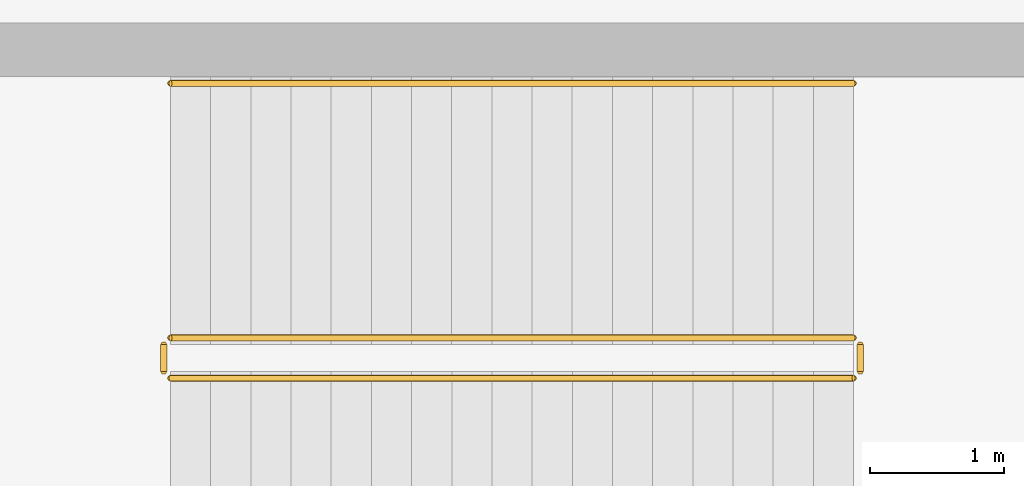
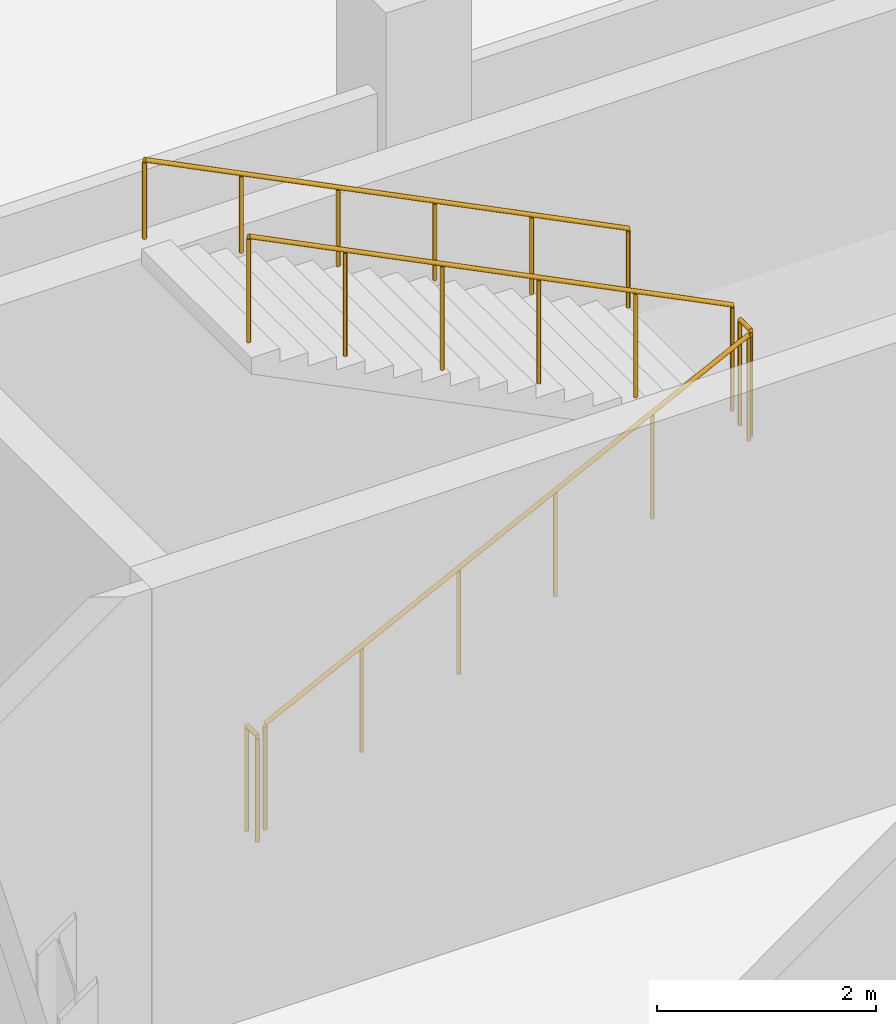
# One storey, part 46 of 49: 5 railings.
"""IFC4 building model written with IfcOpenShell, lengths in metres."""

import ifcopenshell
import ifcopenshell.guid

model = None  # the IFC model being written
_history = None  # IfcOwnerHistory: only IFC2X3 demands one
_inside = {}  # id of a spatial element -> (the spatial element, [elements in it])
_under = {}  # id of a project, library or spatial element -> (it, [spatial elements below it])
_declared = {}  # id of a project -> (the project, [libraries it declares])
_typed = {}  # id of a type object -> (the type object, [elements of that type])
_made_of = {}  # id of a material, layer set ... -> (it, [elements and type objects made of it])


def new_model(schema):
    """Start an empty IFC model of exactly this schema.

    Asked for "IFC4X3", IfcOpenShell would pick the latest addendum, in which some entities
    have other attributes; the version numbers below select the first issue.
    IFC2X3 requires an IfcOwnerHistory on every rooted entity: one is made here for all.
    """
    global model, _history
    if schema == "IFC4X3":
        model = ifcopenshell.file(schema_version=(4, 3, 0, 0))
    else:
        model = ifcopenshell.file(schema=schema)
    _inside.clear()
    _under.clear()
    _declared.clear()
    _typed.clear()
    _made_of.clear()
    _history = None
    if model.schema == "IFC2X3":
        org = make("IfcOrganization", Name="unknown")
        user = make(
            "IfcPersonAndOrganization",
            ThePerson=make("IfcPerson", FamilyName="unknown"),
            TheOrganization=org,
        )
        app = make(
            "IfcApplication",
            ApplicationDeveloper=org,
            Version="unknown",
            ApplicationFullName="unknown",
            ApplicationIdentifier="unknown",
        )
        _history = make(
            "IfcOwnerHistory",
            OwningUser=user,
            OwningApplication=app,
            ChangeAction="ADDED",
            CreationDate=0,
        )
    return model


def make(cls, **values):
    """One entity of the class cls with the attributes given. An attribute that is None is left unset."""
    return model.create_entity(
        cls, **{name: value for name, value in values.items() if value is not None}
    )


def rooted(cls, **values):
    """An entity with a GlobalId (a new one), such as an element, a storey or a relation."""
    return make(cls, GlobalId=ifcopenshell.guid.new(), OwnerHistory=_history, **values)


def si_unit(unit_type, name, prefix=None):
    """IfcSIUnit, for example si_unit("LENGTHUNIT", "METRE", prefix="MILLI")."""
    return make("IfcSIUnit", UnitType=unit_type, Prefix=prefix, Name=name)


def assignment(units):
    """IfcUnitAssignment: the units of a project."""
    return None if units is None else make("IfcUnitAssignment", Units=units)


def point(xyz):
    """IfcCartesianPoint."""
    return None if xyz is None else make("IfcCartesianPoint", Coordinates=xyz)


def direction(xyz):
    """IfcDirection."""
    return None if xyz is None else make("IfcDirection", DirectionRatios=xyz)


def frame(location, z_axis=None, x_axis=None):
    """IfcAxis2Placement3D, a coordinate frame: its origin and axes. An axis left out is left unset."""
    return make(
        "IfcAxis2Placement3D",
        Location=point(location),
        Axis=direction(z_axis),
        RefDirection=direction(x_axis),
    )


def frame_2d(location, x_axis=None):
    """IfcAxis2Placement2D, a coordinate frame in the plane: its origin and x axis."""
    return make(
        "IfcAxis2Placement2D", Location=point(location), RefDirection=direction(x_axis)
    )


def origin():
    """The frame at (0, 0, 0) with its axes left unset."""
    return frame((0.0, 0.0, 0.0))


def origin_2d():
    """The frame at (0, 0) in the plane with its x axis left unset."""
    return frame_2d((0.0, 0.0))


def place(relative_to, where):
    """IfcLocalPlacement: puts the frame where relative to a parent placement (None: the world)."""
    return make(
        "IfcLocalPlacement", PlacementRelTo=relative_to, RelativePlacement=where
    )


def context(
    kind, dimensions, precision=None, world=None, true_north=None, identifier=None
):
    """IfcGeometricRepresentationContext, for example the 3D "Model" context."""
    return make(
        "IfcGeometricRepresentationContext",
        ContextIdentifier=identifier,
        ContextType=kind,
        CoordinateSpaceDimension=dimensions,
        Precision=precision,
        WorldCoordinateSystem=world,
        TrueNorth=true_north,
    )


def subcontext(parent, identifier, kind, view, scale=None):
    """IfcGeometricRepresentationSubContext, for example "Body" below "Model"."""
    return make(
        "IfcGeometricRepresentationSubContext",
        ContextIdentifier=identifier,
        ContextType=kind,
        ParentContext=parent,
        TargetScale=scale,
        TargetView=view,
    )


def project(units=None, contexts=None):
    """IfcProject with its units and contexts."""
    return rooted(
        "IfcProject",
        Name="project",
        RepresentationContexts=contexts,
        UnitsInContext=assignment(units),
    )


def spatial(cls, under=None, at=None, **own):
    """A site, building, storey or space (cls), placed at a placement, below another one or the project."""
    s = rooted(cls, ObjectPlacement=at, **own)
    if under is not None:
        _under.setdefault(under.id(), (under, []))[1].append(s)
    return s


def profile(cls, at=None, kind="AREA", **sizes):
    """A parametric profile (cls). Its sizes go by their IFC names, for example OverallWidth=200.0."""
    return make(cls, ProfileType=kind, Position=at, **sizes)


def circle(**sizes):
    """IfcCircleProfileDef."""
    return profile("IfcCircleProfileDef", **sizes)


def extrude(swept, where, along, depth):
    """IfcExtrudedAreaSolid: the profile swept, set in the frame where, extruded along a direction by depth."""
    return make(
        "IfcExtrudedAreaSolid",
        SweptArea=swept,
        Position=where,
        ExtrudedDirection=direction(along),
        Depth=depth,
    )


def shape(context_of_items, identifier, shape_type, items):
    """IfcShapeRepresentation: the items that make up one representation, for example the "Body"."""
    return make(
        "IfcShapeRepresentation",
        ContextOfItems=context_of_items,
        RepresentationIdentifier=identifier,
        RepresentationType=shape_type,
        Items=items,
    )


def material(Name=None, Category=None):
    """IfcMaterial."""
    return make("IfcMaterial", Name=Name, Category=Category)


def made_of(thing, what):
    """Note that an element or type object is made of a material, layer set ...; save() writes the relation."""
    if what is not None:
        _made_of.setdefault(what.id(), (what, []))[1].append(thing)
    return thing


def type_object(cls, material=None, **own):
    """A type object (cls), such as IfcWallType, which elements share."""
    return made_of(rooted(cls, **own), material)


def element(
    cls,
    number,
    at=None,
    inside=None,
    cuts=None,
    type_object=None,
    material=None,
    context=None,
    identifier="Body",
    shape_type=None,
    held_by="IfcProductDefinitionShape",
    body=None,
    shapes=None,
    **own,
):
    """One element of the class cls, such as IfcWall. Its Tag is "e" and its number.

    at: its placement. inside: the storey or other place that contains it. cuts: it is an
    opening in that element (IfcRelVoidsElement). A single representation is given by context,
    identifier, shape_type and body (its items); several are given by shapes. held_by: the class
    of the entity that holds the representations. save() writes the other relations.
    """
    e = rooted(cls, Tag="e%d" % number, ObjectPlacement=at, **own)
    if body is not None:
        shapes = [shape(context, identifier, shape_type, body)]
    if shapes is not None:
        e.Representation = make(held_by, Representations=shapes)
    if inside is not None:
        _inside.setdefault(inside.id(), (inside, []))[1].append(e)
    if cuts is not None:
        rooted(
            "IfcRelVoidsElement", RelatingBuildingElement=cuts, RelatedOpeningElement=e
        )
    if type_object is not None:
        _typed.setdefault(type_object.id(), (type_object, []))[1].append(e)
    return made_of(e, material)


def aggregate(whole, parts):
    """IfcRelAggregates: a whole, such as a stair, and the parts it consists of."""
    return rooted("IfcRelAggregates", RelatingObject=whole, RelatedObjects=parts)


def save(model, path):
    """Write the relations noted so far, then the file.

    IfcRelAggregates (storeys below a building ...), IfcRelContainedInSpatialStructure (elements
    in a storey), IfcRelDefinesByType, IfcRelAssociatesMaterial and IfcRelDeclares: one each for
    every whole, place, type object, material and project.
    """
    for whole, parts in _under.values():
        aggregate(whole, parts)
    for where, things in _inside.values():
        rooted(
            "IfcRelContainedInSpatialStructure",
            RelatedElements=things,
            RelatingStructure=where,
        )
    for kind, things in _typed.values():
        rooted("IfcRelDefinesByType", RelatedObjects=things, RelatingType=kind)
    for what, things in _made_of.values():
        rooted("IfcRelAssociatesMaterial", RelatedObjects=things, RelatingMaterial=what)
    for by, libraries in _declared.values():
        rooted("IfcRelDeclares", RelatingContext=by, RelatedDefinitions=libraries)
    model.write(path)


model = new_model("IFC4")

# Units and contexts
model_context = context("Model", 3, precision=1e-05, world=origin(), true_north=direction((0.0, 1.0)))
body_context = subcontext(model_context, "Body", "Model", "MODEL_VIEW")
ifc_project = project(units=[si_unit("LENGTHUNIT", "METRE"), si_unit("AREAUNIT", "SQUARE_METRE"), si_unit("VOLUMEUNIT", "CUBIC_METRE"), si_unit("PLANEANGLEUNIT", "RADIAN"), si_unit("MASSUNIT", "GRAM", prefix="KILO"), si_unit("THERMODYNAMICTEMPERATUREUNIT", "KELVIN")], contexts=[model_context])

# Site, building, storey
site_placement = place(None, origin())
site = spatial("IfcSite", under=ifc_project, at=site_placement, CompositionType="ELEMENT")
building_placement = place(site_placement, origin())
building = spatial("IfcBuilding", under=site, at=building_placement, Name="Lustrewick Department Store", CompositionType="ELEMENT")
storey_placement = place(building_placement, frame((0.0, 0.0, -5.39990234375)))
storey = spatial("IfcBuildingStorey", under=building, at=storey_placement, Name="B1", CompositionType="ELEMENT", Elevation=-5.39990234375)

# Railings
ifc_material_1 = material(Name="Painted tubular steel stairwell guardrail", Category="steel")
railing_type_1 = type_object("IfcRailingType", Name="RL-STG", PredefinedType="GUARDRAIL", material=ifc_material_1)
railing_1_placement = place(storey_placement, frame((79.85009765625, 96.14990234375, 0.14990234375)))
element("IfcRailing", 1, at=railing_1_placement, inside=storey, type_object=railing_type_1, Name="B1 ST06 Stair Guard 1", PredefinedType="GUARDRAIL", context=body_context, shape_type="SweptSolid", body=[
    extrude(circle(Radius=0.02392578125, at=origin_2d()), frame((0.0, 0.0, 1.17578125), z_axis=(0.894418627299, 0.0, 0.447230722492), x_axis=(0.0, 1.0, 0.0)), (0.0, 0.0, 1.0), 5.701904296875),
    extrude(circle(Radius=0.02099609375, at=origin_2d()), origin(), (0.0, 0.0, 1.0), 1.15185546875),
    extrude(circle(Radius=0.02099609375, at=origin_2d()), frame((1.02001953125, 0.0, 0.510009765625)), (0.0, 0.0, 1.0), 1.15185546875),
    extrude(circle(Radius=0.02099609375, at=origin_2d()), frame((2.0400390625, 0.0, 1.02001953125)), (0.0, 0.0, 1.0), 1.15185546875),
    extrude(circle(Radius=0.02099609375, at=origin_2d()), frame((3.059814453125, 0.0, 1.530029296875)), (0.0, 0.0, 1.0), 1.15185546875),
    extrude(circle(Radius=0.02099609375, at=origin_2d()), frame((4.079833984375, 0.0, 2.0400390625)), (0.0, 0.0, 1.0), 1.15185546875),
    extrude(circle(Radius=0.02099609375, at=origin_2d()), frame((5.099853515625, 0.0, 2.550048828125)), (0.0, 0.0, 1.0), 1.15185546875),
])
railing_2_placement = place(storey_placement, frame((85.0, 96.199951171875, 2.699951171875)))
element("IfcRailing", 2, at=railing_2_placement, inside=storey, type_object=railing_type_1, Name="B1 ST06 Stair Guard 2", PredefinedType="GUARDRAIL", context=body_context, shape_type="SweptSolid", body=[
    extrude(circle(Radius=0.02392578125, at=origin_2d()), frame((0.0, 0.0, 1.17578125), z_axis=(0.0, 1.0, 0.0), x_axis=(-1.0, 0.0, 0.0)), (0.0, 0.0, 1.0), 0.199951171875),
    extrude(circle(Radius=0.02099609375, at=origin_2d()), origin(), (0.0, 0.0, 1.0), 1.15185546875),
    extrude(circle(Radius=0.02099609375, at=origin_2d()), frame((0.0, 0.199951171875, 0.0)), (0.0, 0.0, 1.0), 1.15185546875),
])
railing_3_placement = place(storey_placement, frame((84.949951171875, 96.449951171875, 2.849853515625)))
element("IfcRailing", 3, at=railing_3_placement, inside=storey, type_object=railing_type_1, Name="B1 ST06 Stair Guard 3", PredefinedType="GUARDRAIL", context=body_context, shape_type="SweptSolid", body=[
    extrude(circle(Radius=0.02392578125, at=origin_2d()), frame((0.0, 0.0, 1.17578125), z_axis=(-0.894418627299, 0.0, 0.447230722492), x_axis=(0.0, -1.0, 0.0)), (0.0, 0.0, 1.0), 5.701904296875),
    extrude(circle(Radius=0.02099609375, at=origin_2d()), origin(), (0.0, 0.0, 1.0), 1.15185546875),
    extrude(circle(Radius=0.02099609375, at=origin_2d()), frame((-1.02001953125, 0.0, 0.510009765625)), (0.0, 0.0, 1.0), 1.15185546875),
    extrude(circle(Radius=0.02099609375, at=origin_2d()), frame((-2.0400390625, 0.0, 1.02001953125)), (0.0, 0.0, 1.0), 1.15185546875),
    extrude(circle(Radius=0.02099609375, at=origin_2d()), frame((-3.059814453125, 0.0, 1.530029296875)), (0.0, 0.0, 1.0), 1.15185546875),
    extrude(circle(Radius=0.02099609375, at=origin_2d()), frame((-4.079833984375, 0.0, 2.0400390625)), (0.0, 0.0, 1.0), 1.15185546875),
    extrude(circle(Radius=0.02099609375, at=origin_2d()), frame((-5.099853515625, 0.0, 2.550048828125)), (0.0, 0.0, 1.0), 1.15185546875),
])
railing_4_placement = place(storey_placement, frame((79.800048828125, 96.199951171875, 0.0)))
element("IfcRailing", 4, at=railing_4_placement, inside=storey, type_object=railing_type_1, Name="B1 ST06 Stair Guard 4", PredefinedType="GUARDRAIL", context=body_context, shape_type="SweptSolid", body=[
    extrude(circle(Radius=0.02392578125, at=origin_2d()), frame((0.0, 0.0, 1.17578125), z_axis=(0.0, 1.0, 0.0), x_axis=(-1.0, 0.0, 0.0)), (0.0, 0.0, 1.0), 0.199951171875),
    extrude(circle(Radius=0.02099609375, at=origin_2d()), origin(), (0.0, 0.0, 1.0), 1.15185546875),
    extrude(circle(Radius=0.02099609375, at=origin_2d()), frame((0.0, 0.199951171875, 0.0)), (0.0, 0.0, 1.0), 1.15185546875),
])
ifc_material_2 = material(Name="Brushed stainless steel wall handrail", Category="steel")
railing_type_2 = type_object("IfcRailingType", Name="RL-STH", PredefinedType="HANDRAIL", material=ifc_material_2)
railing_5_placement = place(storey_placement, frame((84.949951171875, 98.35009765625, 2.849853515625)))
element("IfcRailing", 5, at=railing_5_placement, inside=storey, type_object=railing_type_2, Name="B1 ST06 Stair Handrail 2", PredefinedType="HANDRAIL", context=body_context, shape_type="SweptSolid", body=[
    extrude(circle(Radius=0.02392578125, at=origin_2d()), frame((0.0, 0.0, 0.8759765625), z_axis=(-0.894418627299, 0.0, 0.447230722492), x_axis=(0.0, -1.0, 0.0)), (0.0, 0.0, 1.0), 5.701904296875),
    extrude(circle(Radius=0.02099609375, at=origin_2d()), origin(), (0.0, 0.0, 1.0), 0.851806640625),
    extrude(circle(Radius=0.02099609375, at=origin_2d()), frame((-1.02001953125, 0.0, 0.510009765625)), (0.0, 0.0, 1.0), 0.851806640625),
    extrude(circle(Radius=0.02099609375, at=origin_2d()), frame((-2.0400390625, 0.0, 1.02001953125)), (0.0, 0.0, 1.0), 0.851806640625),
    extrude(circle(Radius=0.02099609375, at=origin_2d()), frame((-3.059814453125, 0.0, 1.530029296875)), (0.0, 0.0, 1.0), 0.851806640625),
    extrude(circle(Radius=0.02099609375, at=origin_2d()), frame((-4.079833984375, 0.0, 2.0400390625)), (0.0, 0.0, 1.0), 0.851806640625),
    extrude(circle(Radius=0.02099609375, at=origin_2d()), frame((-5.099853515625, 0.0, 2.550048828125)), (0.0, 0.0, 1.0), 0.851806640625),
])

save(model, "model.ifc")
